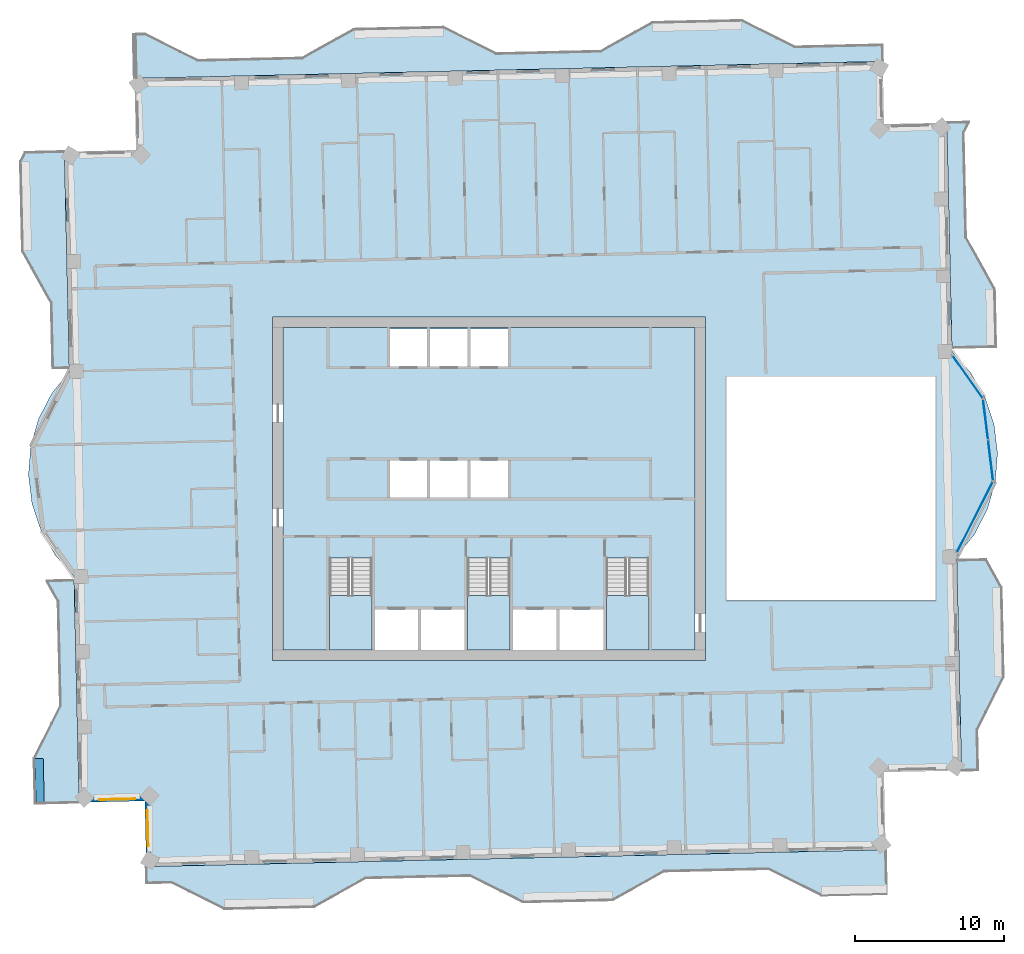
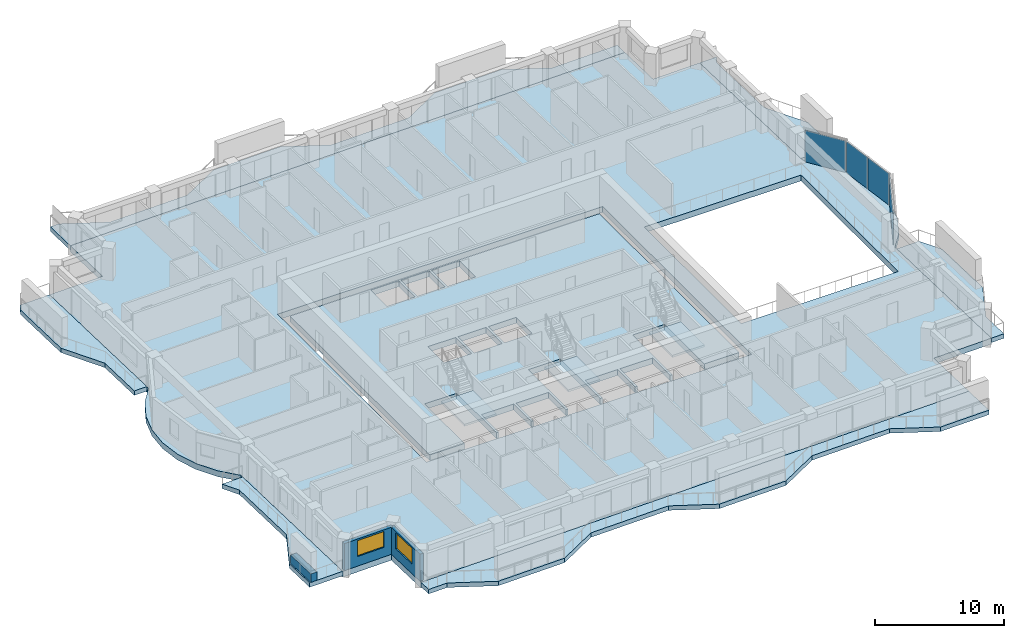
# One storey, part 6 of 18: 11 slabs, 4 plates, 3 walls, 2 windows, 2 openings, 6 elements without a shape of their own.
"""IFC4 building model written with IfcOpenShell, lengths in metres."""

from ifc_helpers import new_model, si_unit, direction, frame, frame_2d, origin, origin_2d, place, context, subcontext, project, spatial, polyline, rectangle, outline, extrude, material, layer, layer_set, type_object, element, fill, aggregate, save


model = new_model("IFC4")

# Units and contexts
model_context = context("Model", 3, precision=1e-05, world=origin(), true_north=direction((0.0, 1.0)))
body_context = subcontext(model_context, "Body", "Model", "MODEL_VIEW")
ifc_project = project(units=[si_unit("LENGTHUNIT", "METRE"), si_unit("AREAUNIT", "SQUARE_METRE"), si_unit("VOLUMEUNIT", "CUBIC_METRE"), si_unit("PLANEANGLEUNIT", "RADIAN"), si_unit("MASSUNIT", "GRAM", prefix="KILO")], contexts=[model_context])

# Site, building, storey
site_placement = place(None, origin())
site = spatial("IfcSite", under=ifc_project, at=site_placement, CompositionType="ELEMENT")
building_placement = place(site_placement, origin())
building = spatial("IfcBuilding", under=site, at=building_placement, Name="Mangrove Gate Tower", CompositionType="ELEMENT")
storey_placement = place(building_placement, frame((0.0, 0.0, 287.10009765625)))
storey = spatial("IfcBuildingStorey", under=building, at=storey_placement, Name="L73", CompositionType="ELEMENT", Elevation=287.10009765625)

# Curtain wall, plate
ifc_material_1 = material(Name="Aluminium and glass curtain wall", Category="aluminium")
curtain_wall_type = type_object("IfcCurtainWallType", Name="Atrium garden-court glazing wall", PredefinedType="NOTDEFINED", material=ifc_material_1)
curtain_wall_1_placement = place(storey_placement, origin())
curtain_wall_1 = element("IfcCurtainWall", 1, at=curtain_wall_1_placement, inside=storey, type_object=curtain_wall_type, Name="Atrium garden-court glazing E1f1", PredefinedType="NOTDEFINED")
ifc_material_2 = material(Name="Laminated low-e glass", Category="glass")
ifc_layer_1 = layer(ifc_material_2, 0.031982421875)
ifc_layer_set_1 = layer_set([ifc_layer_1], Name="Atrium garden-court glazing panel 32")
plate_type = type_object("IfcPlateType", Name="Atrium garden-court glazing panel 32", PredefinedType="CURTAIN_PANEL", material=ifc_layer_set_1)
plate_1_placement = place(storey_placement, frame((32.542236328125, -1.90087890625, 0.0), z_axis=(0.0, 0.0, 1.0), x_axis=(0.452617386511, 0.891704828644, 0.0)))
plate_1 = element("IfcPlate", 2, at=plate_1_placement, type_object=plate_type, Name="CWA panel 1.1", PredefinedType="CURTAIN_PANEL", context=body_context, shape_type="SweptSolid", body=[
    extrude(rectangle(XDim=5.258544921875, YDim=0.031982421875, at=origin_2d()), origin(), (0.0, 0.0, 1.0), 2.97998046875),
])
aggregate(curtain_wall_1, [plate_1])

# Curtain wall, plates
curtain_wall_2_placement = place(storey_placement, origin())
curtain_wall_2 = element("IfcCurtainWall", 3, at=curtain_wall_2_placement, inside=storey, type_object=curtain_wall_type, Name="Atrium garden-court glazing E1f2", PredefinedType="NOTDEFINED")
plate_2_placement = place(storey_placement, frame((33.591552734375, 1.90625, 0.0), z_axis=(0.0, 0.0, 1.0), x_axis=(-0.122172285885, 0.992508908051, 0.0)))
plate_2 = element("IfcPlate", 4, at=plate_2_placement, type_object=plate_type, Name="CWA panel 1.1", PredefinedType="CURTAIN_PANEL", context=body_context, shape_type="SweptSolid", body=[
    extrude(rectangle(XDim=2.681640625, YDim=0.031982421875, at=origin_2d()), origin(), (0.0, 0.0, 1.0), 2.97998046875),
])
plate_3_placement = place(storey_placement, frame((33.25537109375, 4.637451171875, 0.0), z_axis=(0.0, 0.0, 1.0), x_axis=(-0.122172285885, 0.992508908051, 0.0)))
plate_3 = element("IfcPlate", 5, at=plate_3_placement, type_object=plate_type, Name="CWA panel 2.1", PredefinedType="CURTAIN_PANEL", context=body_context, shape_type="SweptSolid", body=[
    extrude(rectangle(XDim=2.681640625, YDim=0.031982421875, at=origin_2d()), origin(), (0.0, 0.0, 1.0), 2.97998046875),
])
aggregate(curtain_wall_2, [plate_2, plate_3])

# Curtain wall, plate
curtain_wall_3_placement = place(storey_placement, origin())
curtain_wall_3 = element("IfcCurtainWall", 6, at=curtain_wall_3_placement, inside=storey, type_object=curtain_wall_type, Name="Atrium garden-court glazing E1f3", PredefinedType="NOTDEFINED")
plate_4_placement = place(storey_placement, frame((32.05126953125, 7.493896484375, 0.0), z_axis=(0.0, 0.0, 1.0), x_axis=(-0.578135022674, 0.815941110349, 0.0)))
plate_4 = element("IfcPlate", 7, at=plate_4_placement, type_object=plate_type, Name="CWA panel 1.1", PredefinedType="CURTAIN_PANEL", context=body_context, shape_type="SweptSolid", body=[
    extrude(rectangle(XDim=3.42919921875, YDim=0.031982421875, at=origin_2d()), origin(), (0.0, 0.0, 1.0), 2.97998046875),
])
aggregate(curtain_wall_3, [plate_4])

# Slabs
ifc_material_3 = material(Name="Porcelain tile")
ifc_layer_2 = layer(ifc_material_3, 0.02001953125, Name="Tile finish")
ifc_material_4 = material(Name="Cement sand screed")
ifc_layer_3 = layer(ifc_material_4, 0.0400390625, Name="Screed laid to falls")
ifc_material_5 = material(Name="Bituminous waterproofing membrane")
ifc_layer_4 = layer(ifc_material_5, 0.00390625, Name="Waterproofing")
ifc_material_6 = material(Name="Concrete C40/50", Category="concrete")
ifc_layer_5 = layer(ifc_material_6, 0.340087890625, Name="Balcony structural slab")
ifc_material_7 = material(Name="Limestone", Category="masonry")
ifc_layer_6 = layer(ifc_material_7, 0.01611328125, Name="Soffit lining")
ifc_layer_set_2 = layer_set([ifc_layer_2, ifc_layer_3, ifc_layer_4, ifc_layer_5, ifc_layer_6], Name="Balcony slab 420 C40/50")
slab_type_1 = type_object("IfcSlabType", Name="Balcony slab 420 C40/50", PredefinedType="FLOOR", material=ifc_layer_set_2)
slab_1_placement = place(storey_placement, frame((0.0, 0.0, -0.420166015625)))
element("IfcSlab", 8, at=slab_1_placement, inside=storey, type_object=slab_type_1, Name="BALCONY L73 E0", PredefinedType="FLOOR", context=body_context, shape_type="SweptSolid", body=[
    extrude(outline(polyline([(32.781005859375, -18.847900390625), (32.719970703125, -16.14892578125), (34.489990234375, -12.60693359375), (34.35400390625, -6.60888671875), (33.321044921875, -4.757080078125), (31.322021484375, -4.802978515625), (31.364990234375, -6.677001953125), (31.5009765625, -12.675048828125), (31.580078125, -16.174072265625), (31.64111328125, -18.8740234375), (32.781005859375, -18.847900390625)])), origin(), (0.0, 0.0, 1.0), 0.420166015625),
])
slab_2_placement = place(storey_placement, frame((0.0, 0.0, -0.420166015625)))
element("IfcSlab", 9, at=slab_2_placement, inside=storey, type_object=slab_type_1, Name="BALCONY L73 E1", PredefinedType="FLOOR", context=body_context, shape_type="SweptSolid", body=[
    extrude(outline(polyline([(33.988037109375, 9.511962890625), (33.89990234375, 13.385986328125), (31.970947265625, 16.843017578125), (31.81201171875, 23.841064453125), (32.166015625, 24.549072265625), (30.656982421875, 24.514892578125), (30.673095703125, 23.81494140625), (30.8310546875, 16.81689453125), (30.910888671875, 13.318115234375), (30.9990234375, 9.444091796875), (33.988037109375, 9.511962890625)])), origin(), (0.0, 0.0, 1.0), 0.420166015625),
])
slab_3_placement = place(storey_placement, frame((0.0, 0.0, -0.420166015625)))
element("IfcSlab", 10, at=slab_3_placement, inside=storey, type_object=slab_type_1, Name="BALCONY L73 N0", PredefinedType="FLOOR", context=body_context, shape_type="SweptSolid", body=[
    extrude(outline(polyline([(26.3369140625, 29.758056640625), (20.469970703125, 29.625), (16.928955078125, 31.39501953125), (10.930908203125, 31.259033203125), (7.47412109375, 29.330078125), (0.47509765625, 29.173095703125), (-3.06591796875, 30.94189453125), (-9.06396484375, 30.805908203125), (-12.52099609375, 28.876953125), (-19.52001953125, 28.718994140625), (-23.06103515625, 30.488037109375), (-23.827880859375, 30.470947265625), (-23.760986328125, 27.48095703125), (26.363037109375, 28.618896484375), (26.3369140625, 29.758056640625)])), origin(), (0.0, 0.0, 1.0), 0.420166015625),
])
slab_4_placement = place(storey_placement, frame((0.0, 0.0, -0.420166015625)))
element("IfcSlab", 11, at=slab_4_placement, inside=storey, type_object=slab_type_1, Name="BALCONY L73 W0", PredefinedType="FLOOR", context=body_context, shape_type="SweptSolid", body=[
    extrude(outline(polyline([(-31.123046875, 22.512939453125), (-31.426025390625, 21.906005859375), (-31.2900390625, 15.906982421875), (-29.361083984375, 12.449951171875), (-29.261962890625, 8.076904296875), (-28.1220703125, 8.10302734375), (-28.220947265625, 12.47607421875), (-28.301025390625, 15.97509765625), (-28.43701171875, 21.97412109375), (-28.449951171875, 22.573974609375), (-31.123046875, 22.512939453125)])), origin(), (0.0, 0.0, 1.0), 0.420166015625),
])
slab_5_placement = place(storey_placement, frame((0.0, 0.0, -0.420166015625)))
element("IfcSlab", 12, at=slab_5_placement, inside=storey, type_object=slab_type_1, Name="BALCONY L73 W1", PredefinedType="FLOOR", context=body_context, shape_type="SweptSolid", body=[
    extrude(outline(polyline([(-29.6650390625, -6.18701171875), (-28.906982421875, -7.5439453125), (-28.748046875, -14.54296875), (-30.51904296875, -18.083984375), (-30.449951171875, -21.0830078125), (-27.4609375, -21.014892578125), (-27.529052734375, -18.01611328125), (-27.60888671875, -14.51708984375), (-27.76806640625, -7.51904296875), (-27.799072265625, -6.14404296875), (-29.6650390625, -6.18701171875)])), origin(), (0.0, 0.0, 1.0), 0.420166015625),
])
slab_6_placement = place(storey_placement, frame((0.0, 0.0, -0.420166015625)))
element("IfcSlab", 13, at=slab_6_placement, inside=storey, type_object=slab_type_1, Name="BALCONY L73 S0", PredefinedType="FLOOR", context=body_context, shape_type="SweptSolid", body=[
    extrude(outline(polyline([(-22.93701171875, -26.4541015625), (-21.26904296875, -26.416015625), (-17.72802734375, -28.18603515625), (-11.72998046875, -28.050048828125), (-8.27197265625, -26.12109375), (-1.27392578125, -25.9619140625), (2.26708984375, -27.73193359375), (8.264892578125, -27.595947265625), (11.721923828125, -25.6669921875), (18.720947265625, -25.510009765625), (22.261962890625, -27.279052734375), (26.62890625, -27.179931640625), (26.56103515625, -24.18994140625), (1.799072265625, -24.751953125), (-1.300048828125, -24.822998046875), (-22.962890625, -25.31396484375), (-22.93701171875, -26.4541015625)])), origin(), (0.0, 0.0, 1.0), 0.420166015625),
])
ifc_material_8 = material(Name="Concrete C40/50", Category="concrete")
ifc_layer_7 = layer(ifc_material_8, 0.550048828125)
ifc_layer_set_3 = layer_set([ifc_layer_7], Name="Core floor slab 550 C40/50")
slab_type_2 = type_object("IfcSlabType", Name="Core floor slab 550 C40/50", PredefinedType="FLOOR", material=ifc_layer_set_3)
slab_7_placement = place(storey_placement, frame((0.0, 0.0, -0.550048828125)))
element("IfcSlab", 14, at=slab_7_placement, inside=storey, type_object=slab_type_2, Name="SLAB-L73-CORE-1", PredefinedType="FLOOR", context=body_context, shape_type="SweptSolid", body=[
    extrude(outline(polyline([(-13.800048828125, -10.800048828125), (-13.800048828125, 10.800048828125), (13.800048828125, 10.800048828125), (13.800048828125, -10.800048828125), (10.699951171875, -10.800048828125), (10.699951171875, -4.653076171875), (7.85009765625, -4.653076171875), (7.85009765625, -10.800048828125), (7.64990234375, -10.800048828125), (7.64990234375, -8.10009765625), (4.72509765625, -8.10009765625), (4.72509765625, -10.800048828125), (4.52490234375, -10.800048828125), (4.52490234375, -8.10009765625), (1.60009765625, -8.10009765625), (1.60009765625, -10.800048828125), (1.39990234375, -10.800048828125), (1.39990234375, -4.653076171875), (-1.449951171875, -4.653076171875), (-1.449951171875, -10.800048828125), (-1.64990234375, -10.800048828125), (-1.64990234375, -8.10009765625), (-4.550048828125, -8.10009765625), (-4.550048828125, -10.800048828125), (-4.75, -10.800048828125), (-4.75, -8.10009765625), (-7.64990234375, -8.10009765625), (-7.64990234375, -10.800048828125), (-7.85009765625, -10.800048828125), (-7.85009765625, -4.653076171875), (-10.699951171875, -4.653076171875), (-10.699951171875, -10.800048828125), (-13.800048828125, -10.800048828125)]), holes=[polyline([(-4.14990234375, 1.89990234375), (-6.64990234375, 1.89990234375), (-6.64990234375, -0.60009765625), (-4.14990234375, -0.60009765625), (-4.14990234375, 1.89990234375)]), polyline([(-1.449951171875, -0.60009765625), (-1.449951171875, 1.89990234375), (-3.949951171875, 1.89990234375), (-3.949951171875, -0.60009765625), (-1.449951171875, -0.60009765625)]), polyline([(-4.14990234375, 8.199951171875), (-4.14990234375, 10.699951171875), (-6.64990234375, 10.699951171875), (-6.64990234375, 8.199951171875), (-4.14990234375, 8.199951171875)]), polyline([(-1.449951171875, 10.699951171875), (-3.949951171875, 10.699951171875), (-3.949951171875, 8.199951171875), (-1.449951171875, 8.199951171875), (-1.449951171875, 10.699951171875)]), polyline([(1.25, -0.60009765625), (1.25, 1.89990234375), (-1.25, 1.89990234375), (-1.25, -0.60009765625), (1.25, -0.60009765625)]), polyline([(1.25, 8.199951171875), (1.25, 10.699951171875), (-1.25, 10.699951171875), (-1.25, 8.199951171875), (1.25, 8.199951171875)])]), origin(), (0.0, 0.0, 1.0), 0.550048828125),
])

# Stair, slab
ifc_material_9 = material(Name="Concrete C40/50", Category="concrete")
stair_type = type_object("IfcStairType", Name="Core stair 1350", PredefinedType="HALF_TURN_STAIR", material=ifc_material_9)
stair_1_placement = place(storey_placement, origin())
stair_1 = element("IfcStair", 15, at=stair_1_placement, inside=storey, type_object=stair_type, Name="L73 Stair 1", PredefinedType="HALF_TURN_STAIR")
ifc_material_10 = material(Name="Concrete C40/50", Category="concrete")
ifc_layer_8 = layer(ifc_material_10, 0.199951171875)
ifc_layer_set_4 = layer_set([ifc_layer_8], Name="Core stair landing 200")
slab_type_3 = type_object("IfcSlabType", Name="Core stair landing 200", PredefinedType="LANDING", material=ifc_layer_set_4)
slab_8_placement = place(storey_placement, frame((0.0, 0.0, 1.599853515625)))
slab_8 = element("IfcSlab", 16, at=slab_8_placement, type_object=slab_type_3, Name="ST1 landing 1", PredefinedType="LANDING", context=body_context, shape_type="SweptSolid", body=[
    extrude(outline(polyline([(-10.699951171875, -7.169921875), (-10.699951171875, -10.800048828125), (-7.85009765625, -10.800048828125), (-7.85009765625, -7.169921875), (-10.699951171875, -7.169921875)])), origin(), (0.0, 0.0, 1.0), 0.199951171875),
])
aggregate(stair_1, [slab_8])

stair_2_placement = place(storey_placement, origin())
stair_2 = element("IfcStair", 17, at=stair_2_placement, inside=storey, type_object=stair_type, Name="L73 Stair 2", PredefinedType="HALF_TURN_STAIR")
slab_9_placement = place(storey_placement, frame((0.0, 0.0, 1.599853515625)))
slab_9 = element("IfcSlab", 18, at=slab_9_placement, type_object=slab_type_3, Name="ST2 landing 1", PredefinedType="LANDING", context=body_context, shape_type="SweptSolid", body=[
    extrude(outline(polyline([(-1.449951171875, -7.169921875), (-1.449951171875, -10.800048828125), (1.39990234375, -10.800048828125), (1.39990234375, -7.169921875), (-1.449951171875, -7.169921875)])), origin(), (0.0, 0.0, 1.0), 0.199951171875),
])
aggregate(stair_2, [slab_9])

stair_3_placement = place(storey_placement, origin())
stair_3 = element("IfcStair", 19, at=stair_3_placement, inside=storey, type_object=stair_type, Name="L73 Stair 3", PredefinedType="HALF_TURN_STAIR")
slab_10_placement = place(storey_placement, frame((0.0, 0.0, 1.599853515625)))
slab_10 = element("IfcSlab", 20, at=slab_10_placement, type_object=slab_type_3, Name="ST3 landing 1", PredefinedType="LANDING", context=body_context, shape_type="SweptSolid", body=[
    extrude(outline(polyline([(7.85009765625, -7.169921875), (7.85009765625, -10.800048828125), (10.699951171875, -10.800048828125), (10.699951171875, -7.169921875), (7.85009765625, -7.169921875)])), origin(), (0.0, 0.0, 1.0), 0.199951171875),
])
aggregate(stair_3, [slab_10])

# Slab
ifc_material_11 = material(Name="Concrete C40/50", Category="concrete")
ifc_layer_9 = layer(ifc_material_11, 0.550048828125)
ifc_layer_set_5 = layer_set([ifc_layer_9], Name="Floor slab 550 C40/50")
slab_type_4 = type_object("IfcSlabType", Name="Floor slab 550 C40/50", PredefinedType="FLOOR", material=ifc_layer_set_5)
slab_11_placement = place(storey_placement, frame((0.0, 0.0, -0.550048828125)))
element("IfcSlab", 21, at=slab_11_placement, inside=storey, type_object=slab_type_4, Name="Floor slab L73", PredefinedType="FLOOR", context=body_context, shape_type="SweptSolid", body=[
    extrude(outline(polyline([(-22.962646484375, -25.314208984375), (26.560791015625, -24.1904296875), (26.442626953125, -18.99169921875), (31.641357421875, -18.873779296875), (31.31640625, -4.552734375), (32.512939453125, -3.060302734375), (33.389892578125, -1.360595703125), (33.912353515625, 0.4794921875), (34.0595703125, 2.38671875), (33.825927734375, 4.28515625), (33.220458984375, 6.099365234375), (32.267333984375, 7.7578125), (31.00439453125, 9.1943359375), (30.65673828125, 24.51513671875), (26.457763671875, 24.419921875), (26.362548828125, 28.61865234375), (-23.760498046875, 27.481201171875), (-23.651611328125, 22.6826171875), (-28.450439453125, 22.57373046875), (-28.116455078125, 7.852783203125), (-29.31298828125, 6.3603515625), (-30.18994140625, 4.660400390625), (-30.71240234375, 2.820556640625), (-30.859619140625, 0.913330078125), (-30.6259765625, -0.985107421875), (-30.0205078125, -2.799560546875), (-29.0673828125, -4.457763671875), (-27.804443359375, -5.894287109375), (-27.461181640625, -21.01513671875), (-23.0625, -20.915283203125), (-22.962646484375, -25.314208984375)]), holes=[polyline([(15.89990234375, 7.5), (29.889892578125, 7.5), (29.889892578125, -7.5), (15.89990234375, -7.5), (15.89990234375, 7.5)]), polyline([(-14.5, -11.5), (-14.5, 11.5), (14.5, 11.5), (14.5, -11.5), (-14.5, -11.5)])]), origin(), (0.0, 0.0, 1.0), 0.550048828125),
])

# Wall, opening, window
ifc_layer_10 = layer(ifc_material_7, 0.0400390625, Name="Limestone cladding")
ifc_material_12 = material(Name="Ventilated air gap")
ifc_layer_11 = layer(ifc_material_12, 0.0400390625, Name="Ventilated cavity")
ifc_material_13 = material(Name="Mineral wool insulation")
ifc_layer_12 = layer(ifc_material_13, 0.06005859375, Name="Insulation")
ifc_material_14 = material(Name="Breather membrane")
ifc_layer_13 = layer(ifc_material_14, 0.001953125, Name="Breather membrane")
ifc_material_15 = material(Name="Concrete C20/25 blockwork", Category="masonry")
ifc_layer_14 = layer(ifc_material_15, 0.14990234375, Name="Blockwork backing wall")
ifc_material_16 = material(Name="Gypsum plaster")
ifc_layer_15 = layer(ifc_material_16, 0.008056640625, Name="Internal plaster")
ifc_layer_set_6 = layer_set([ifc_layer_10, ifc_layer_11, ifc_layer_12, ifc_layer_13, ifc_layer_14, ifc_layer_15], Name="External wall 300 limestone cladding")
wall_type_1 = type_object("IfcWallType", Name="External wall 300 limestone cladding", PredefinedType="SOLIDWALL", material=ifc_layer_set_6)
wall_1_placement = place(storey_placement, frame((-27.31494140625, -20.862060546875, 0.0), z_axis=(0.0, 0.0, 1.0), x_axis=(0.999741204967, 0.022749133868, 0.0)))
wall_1 = element("IfcWall", 22, at=wall_1_placement, inside=storey, type_object=wall_type_1, Name="WALL-L73-S11", PredefinedType="SOLIDWALL", context=body_context, shape_type="SweptSolid", body=[
    extrude(rectangle(XDim=4.400146484375, YDim=0.300048828125, at=frame_2d((2.2001953125, 0.0))), origin(), (0.0, 0.0, 1.0), 2.5498046875),
])
opening_1_placement = place(wall_1_placement, frame((1.196044921875, 0.0, 0.89990234375)))
opening_1 = element("IfcOpeningElement", 23, at=opening_1_placement, cuts=wall_1, Name="Opening W2", PredefinedType="OPENING", context=body_context, shape_type="SweptSolid", body=[
    extrude(rectangle(XDim=2.39990234375, YDim=1.5, at=frame_2d((1.199951171875, 0.75))), frame((0.0, 0.159912109375, 0.0), z_axis=(0.0, -1.0, 0.0), x_axis=(1.0, 0.0, 0.0)), (0.0, 0.0, 1.0), 0.320068359375),
])
ifc_material_17 = material(Name="Aluminium frame with double-glazed low-e glass", Category="aluminium")
window_type = type_object("IfcWindowType", Name="Corner room window 2400x1500", PartitioningType="DOUBLE_PANEL_VERTICAL", PredefinedType="WINDOW", material=ifc_material_17)
window_1_placement = place(opening_1_placement, origin())
window_1 = element("IfcWindow", 24, at=window_1_placement, inside=storey, type_object=window_type, Name="WIN-L73-S11-1", OverallHeight=1.5, OverallWidth=2.39990234375, PartitioningType="DOUBLE_PANEL_VERTICAL", PredefinedType="WINDOW", context=body_context, shape_type="SweptSolid", body=[
    extrude(rectangle(XDim=2.39990234375, YDim=1.5, at=frame_2d((1.199951171875, 0.75))), frame((0.0, 0.030029296875, 0.0), z_axis=(0.0, -1.0, 0.0), x_axis=(1.0, 0.0, 0.0)), (0.0, 0.0, 1.0), 0.06005859375),
])
fill(opening_1, window_1)

wall_2_placement = place(storey_placement, frame((-22.916015625, -20.761962890625, 0.0), z_axis=(0.0, 0.0, 1.0), x_axis=(0.022749133868, -0.999741204967, 0.0)))
wall_2 = element("IfcWall", 25, at=wall_2_placement, inside=storey, type_object=wall_type_1, Name="WALL-L73-W12", PredefinedType="SOLIDWALL", context=body_context, shape_type="SweptSolid", body=[
    extrude(rectangle(XDim=4.400146484375, YDim=0.300048828125, at=frame_2d((2.2001953125, 0.0))), origin(), (0.0, 0.0, 1.0), 2.5498046875),
])
opening_2_placement = place(wall_2_placement, frame((0.7890625, 0.0, 0.89990234375)))
opening_2 = element("IfcOpeningElement", 26, at=opening_2_placement, cuts=wall_2, Name="Opening W2", PredefinedType="OPENING", context=body_context, shape_type="SweptSolid", body=[
    extrude(rectangle(XDim=2.39990234375, YDim=1.5, at=frame_2d((1.199951171875, 0.75))), frame((0.0, 0.159912109375, 0.0), z_axis=(0.0, -1.0, 0.0), x_axis=(1.0, 0.0, 0.0)), (0.0, 0.0, 1.0), 0.320068359375),
])
window_2_placement = place(opening_2_placement, origin())
window_2 = element("IfcWindow", 27, at=window_2_placement, inside=storey, type_object=window_type, Name="WIN-L73-W12-1", OverallHeight=1.5, OverallWidth=2.39990234375, PartitioningType="DOUBLE_PANEL_VERTICAL", PredefinedType="WINDOW", context=body_context, shape_type="SweptSolid", body=[
    extrude(rectangle(XDim=2.39990234375, YDim=1.5, at=frame_2d((1.199951171875, 0.75))), frame((0.0, 0.030029296875, 0.0), z_axis=(0.0, -1.0, 0.0), x_axis=(1.0, 0.0, 0.0)), (0.0, 0.0, 1.0), 0.06005859375),
])
fill(opening_2, window_2)

# Wall
ifc_material_18 = material(Name="Concrete C32/40", Category="concrete")
ifc_layer_16 = layer(ifc_material_18, 0.199951171875, Name="Planter trough wall")
ifc_layer_17 = layer(ifc_material_5, 0.0048828125, Name="Waterproofing")
ifc_material_19 = material(Name="Drainage board and gravel")
ifc_layer_18 = layer(ifc_material_19, 0.044921875, Name="Drainage layer")
ifc_material_20 = material(Name="Planting soil")
ifc_layer_19 = layer(ifc_material_20, 0.300048828125, Name="Growing medium")
ifc_layer_set_7 = layer_set([ifc_layer_16, ifc_layer_17, ifc_layer_18, ifc_layer_19], Name="Planter wall 550 C32/40")
wall_type_2 = type_object("IfcWallType", Name="Planter wall 550 C32/40", PredefinedType="USERDEFINED", material=ifc_layer_set_7)
wall_3_placement = place(storey_placement, frame((-30.075927734375, -21.074951171875, 0.0), z_axis=(0.0, 0.0, 1.0), x_axis=(-0.022706615587, 0.999742171567, 0.0)))
element("IfcWall", 28, at=wall_3_placement, inside=storey, type_object=wall_type_2, Name="PLANTER L73 W1.1", ObjectType="PLANTER", PredefinedType="USERDEFINED", context=body_context, shape_type="SweptSolid", body=[
    extrude(rectangle(XDim=2.999755859375, YDim=0.550048828125, at=frame_2d((1.5, 0.0))), origin(), (0.0, 0.0, 1.0), 0.7998046875),
])

save(model, "model.ifc")
